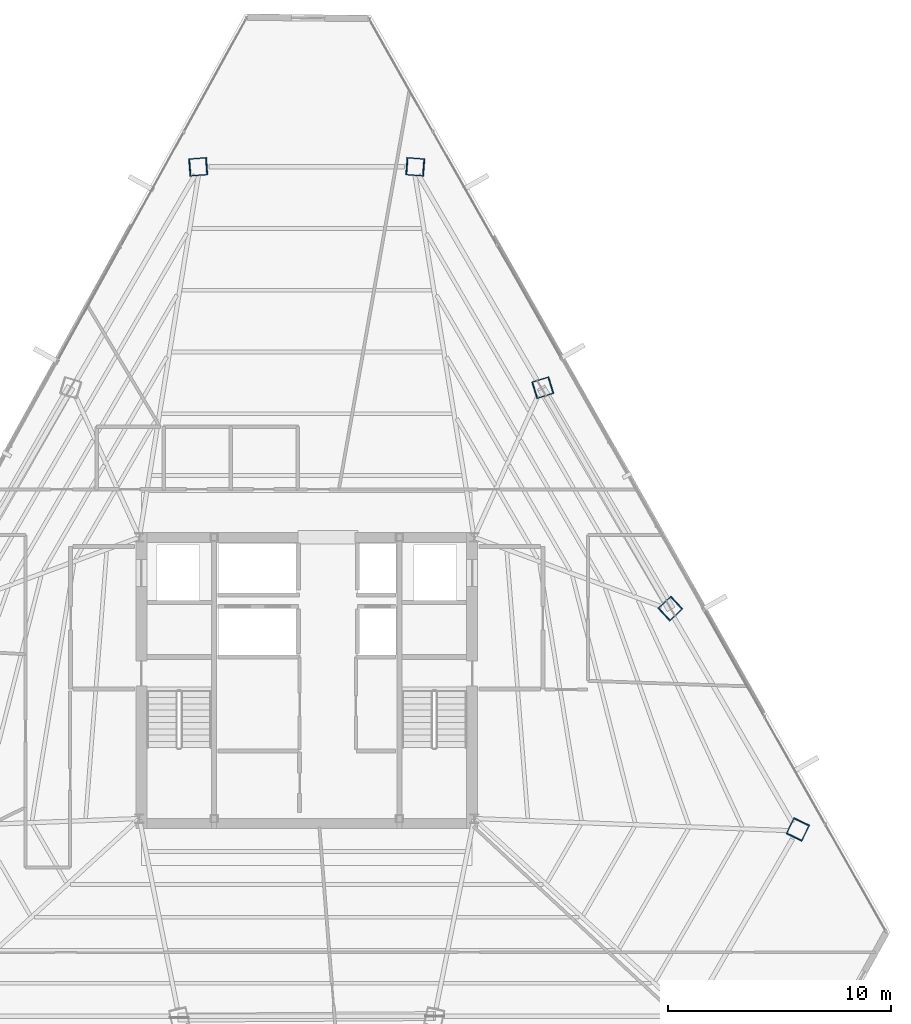
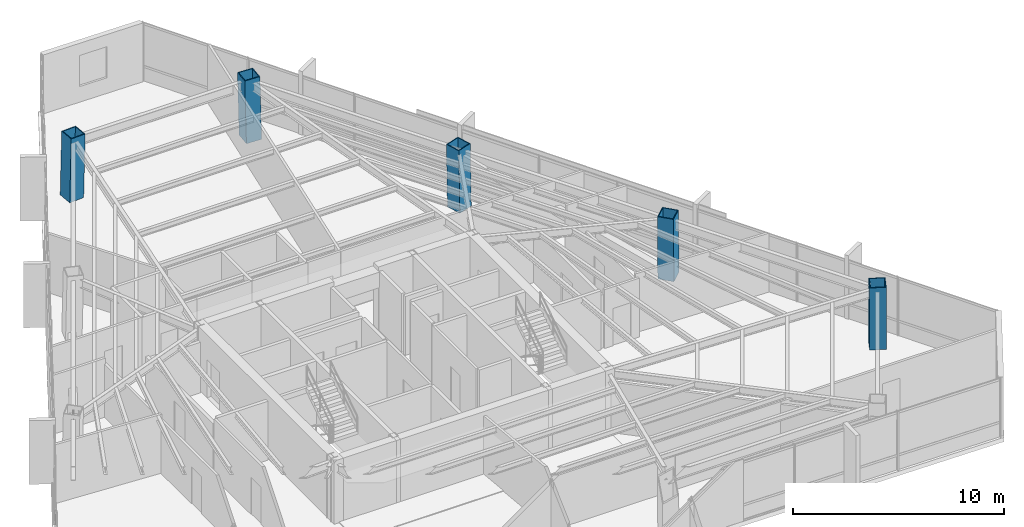
# One storey, part 2 of 40: 5 columns.
"""IFC4 building model written with IfcOpenShell, lengths in metres."""

from ifc_helpers import new_model, si_unit, direction, frame, origin, origin_2d, place, context, subcontext, project, spatial, hollow_rectangle, extrude, source, transform, mapped, material, material_profile, profile_set, type_object, type_shapes, element, save


model = new_model("IFC4")

# Units and contexts
model_context = context("Model", 3, precision=1e-05, world=origin(), true_north=direction((0.0, 1.0)))
body_context = subcontext(model_context, "Body", "Model", "MODEL_VIEW")
ifc_project = project(units=[si_unit("LENGTHUNIT", "METRE"), si_unit("AREAUNIT", "SQUARE_METRE"), si_unit("VOLUMEUNIT", "CUBIC_METRE"), si_unit("PLANEANGLEUNIT", "RADIAN"), si_unit("MASSUNIT", "GRAM", prefix="KILO")], contexts=[model_context])

# Site, building, storey
site_placement = place(None, origin())
site = spatial("IfcSite", under=ifc_project, at=site_placement, CompositionType="ELEMENT")
building_placement = place(site_placement, origin())
building = spatial("IfcBuilding", under=site, at=building_placement, Name="Caelisora Broadcast Tower", CompositionType="ELEMENT")
storey_placement = place(building_placement, frame((0.0, 0.0, 213.25)))
storey = spatial("IfcBuildingStorey", under=building, at=storey_placement, Name="L56", CompositionType="ELEMENT", Elevation=213.25)

# Columns
ifc_material = material(Name="Steel Grade 350 L15 (AS/NZS 3678)", Category="steel")
ifc_material_profile = material_profile(ifc_material, hollow_rectangle(XDim=0.800048828125, YDim=0.800048828125, WallThickness=0.044921875, at=origin_2d()), Name="Steel Grade 350 L15 (AS/NZS 3678)")
ifc_profile_set = profile_set([ifc_material_profile], Name="Steel Grade 350 L15 (AS/NZS 3678)")
column_type = type_object("IfcColumnType", Name="MC05", PredefinedType="COLUMN", material=ifc_profile_set)
shared_shape_1 = source(origin(), body_context, "Body", "SweptSolid", [
    extrude(hollow_rectangle(XDim=0.800048828125, YDim=0.800048828125, WallThickness=0.044921875, at=origin_2d()), origin(), (0.0, 0.0, 1.0), 3.65087890625),
])
for number, where, z_axis, x_axis, name in (
    (1, (42.876708984375, 46.5986328125, 0.0), (-0.023872754168, 0.001805502416, 0.999713374808), (-0.075414875552, -0.997152243414, 0.0), "L56 column MC05"),
    (2, (33.123291015625, 46.5986328125, 0.0), (0.023872754168, 0.001805502416, 0.999713374808), (-0.075414875552, 0.997152243414, 0.0), "L56 column MC05"),
    (3, (60.009521484375, 16.924072265625, 0.0), (-0.010431780378, -0.021599135014, 0.999712286273), (0.900476348161, -0.434904985489, 0.0), "L56 column MC05"),
):
    element("IfcColumn", number, at=place(storey_placement, frame(where, z_axis=z_axis, x_axis=x_axis)), inside=storey, type_object=column_type, Name=name, PredefinedType="COLUMN", context=body_context, shape_type="MappedRepresentation", body=[
        mapped(shared_shape_1, transform((0.0, 0.0, 0.0), scale=1.0)),
    ])
shared_shape_2 = source(origin(), body_context, "Body", "SweptSolid", [
    extrude(hollow_rectangle(XDim=0.800048828125, YDim=0.800048828125, WallThickness=0.044921875, at=origin_2d()), origin(), (0.0, 0.0, 1.0), 3.650634765625),
])
type_shapes(column_type, [shared_shape_1, shared_shape_2])
for number, where, z_axis, x_axis, name in (
    (4, (54.298583984375, 26.815673828125, 0.0), (-0.014913313399, -0.013776424037, 0.999793880369), (0.678553674548, -0.734550822447, 0.0), "L56 column MC05"),
    (5, (48.587646484375, 36.707275390625, 0.0), (-0.019393993486, -0.006018825565, 0.999793802119), (0.296399214872, -0.955064136811, 0.0), "L56 column MC05"),
):
    element("IfcColumn", number, at=place(storey_placement, frame(where, z_axis=z_axis, x_axis=x_axis)), inside=storey, type_object=column_type, Name=name, PredefinedType="COLUMN", context=body_context, shape_type="MappedRepresentation", body=[
        mapped(shared_shape_2, transform((0.0, 0.0, 0.0), scale=1.0)),
    ])

save(model, "model.ifc")
